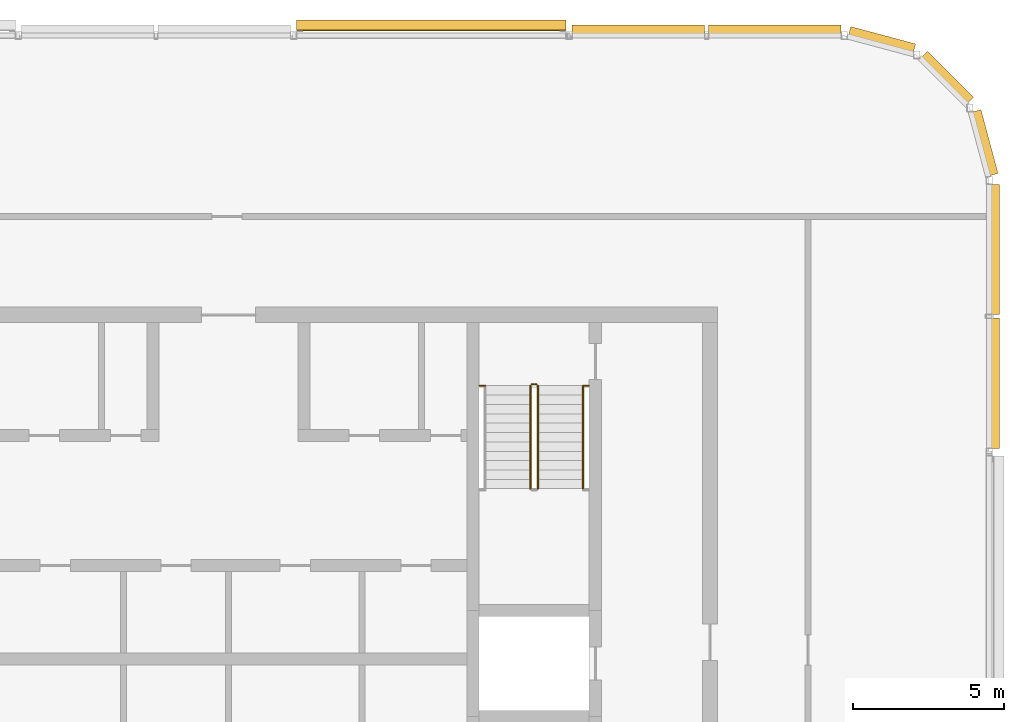
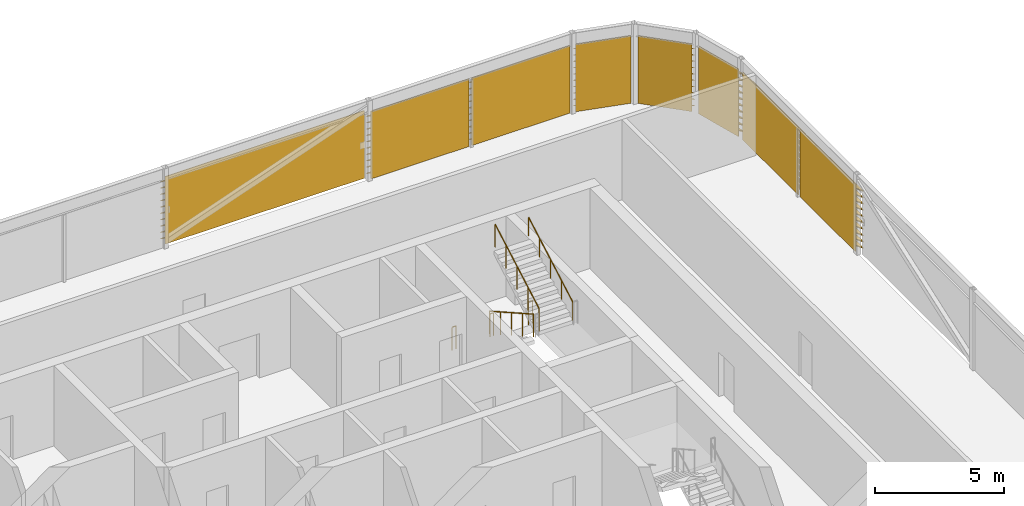
# One storey, part 28 of 28: 8 shading devices, 6 railings.
"""IFC4 building model written with IfcOpenShell, lengths in metres."""

from ifc_helpers import new_model, si_unit, direction, frame, origin, origin_2d, place, context, subcontext, project, spatial, polyline, circle, outline, extrude, material, type_object, element, save


model = new_model("IFC4")

# Units and contexts
model_context = context("Model", 3, precision=1e-05, world=origin(), true_north=direction((0.0, 1.0)))
body_context = subcontext(model_context, "Body", "Model", "MODEL_VIEW")
ifc_project = project(units=[si_unit("LENGTHUNIT", "METRE"), si_unit("AREAUNIT", "SQUARE_METRE"), si_unit("VOLUMEUNIT", "CUBIC_METRE"), si_unit("PLANEANGLEUNIT", "RADIAN"), si_unit("MASSUNIT", "GRAM", prefix="KILO")], contexts=[model_context])

# Site, building, storey
site_placement = place(None, origin())
site = spatial("IfcSite", under=ifc_project, at=site_placement, CompositionType="ELEMENT")
building_placement = place(site_placement, origin())
building = spatial("IfcBuilding", under=site, at=building_placement, Name="Madar Terraces", CompositionType="ELEMENT")
storey_placement = place(building_placement, frame((0.0, 0.0, 310.10009765625)))
storey = spatial("IfcBuildingStorey", under=building, at=storey_placement, Name="L80", CompositionType="ELEMENT", Elevation=310.10009765625)

# Shading devices
ifc_material_1 = material(Name="Aluminium, black anodised", Category="aluminium")
shading_device_type = type_object("IfcShadingDeviceType", Name="Crown louvre bank", PredefinedType="USERDEFINED", material=ifc_material_1)
for number, where, z_axis, x_axis, name in (
    (1, (56.39990234375, 33.126953125, 0.0), (0.0, 1.0, 0.0), (-1.0, 0.0, 0.0), "LOUVRE bank L80 12.1"),
    (2, (56.39990234375, 37.5634765625, 0.0), (0.0, 1.0, 0.0), (-1.0, 0.0, 0.0), "LOUVRE bank L80 12.2"),
):
    element("IfcShadingDevice", number, at=place(storey_placement, frame(where, z_axis=z_axis, x_axis=x_axis)), inside=storey, type_object=shading_device_type, Name=name, ObjectType="LOUVRE", PredefinedType="USERDEFINED", context=body_context, shape_type="SweptSolid", body=[
        extrude(outline(polyline([(0.014892578125, 0.0), (-0.014892578125, 0.0), (-0.014892578125, 0.24951171875), (-0.3427734375, 0.02001953125), (-0.3427734375, 0.06884765625), (-0.014892578125, 0.29833984375), (-0.014892578125, 0.54931640625), (-0.3427734375, 0.320068359375), (-0.3427734375, 0.368896484375), (-0.014892578125, 0.59814453125), (-0.014892578125, 0.849365234375), (-0.3427734375, 0.6201171875), (-0.3427734375, 0.6689453125), (-0.014892578125, 0.898193359375), (-0.014892578125, 1.1494140625), (-0.3427734375, 0.919921875), (-0.3427734375, 0.96875), (-0.014892578125, 1.1982421875), (-0.014892578125, 1.449462890625), (-0.3427734375, 1.219970703125), (-0.3427734375, 1.268798828125), (-0.014892578125, 1.498291015625), (-0.014892578125, 1.74951171875), (-0.3427734375, 1.52001953125), (-0.3427734375, 1.56884765625), (-0.014892578125, 1.79833984375), (-0.014892578125, 2.04931640625), (-0.3427734375, 1.820068359375), (-0.3427734375, 1.868896484375), (-0.014892578125, 2.09814453125), (-0.014892578125, 2.349365234375), (-0.3427734375, 2.1201171875), (-0.3427734375, 2.1689453125), (-0.014892578125, 2.398193359375), (-0.014892578125, 2.6494140625), (-0.3427734375, 2.419921875), (-0.3427734375, 2.46875), (-0.014892578125, 2.6982421875), (-0.014892578125, 2.949462890625), (-0.3427734375, 2.719970703125), (-0.3427734375, 2.768798828125), (-0.014892578125, 2.998291015625), (-0.014892578125, 3.197998046875), (0.014892578125, 3.197998046875), (0.014892578125, 0.0)])), origin(), (0.0, 0.0, 1.0), 4.3095703125),
    ])
shading_device_1_placement = place(storey_placement, frame((56.361328125, 42.143798828125, 0.0), z_axis=(-0.258788169352, 0.965934098893, 0.0), x_axis=(-0.965934098893, -0.258788169352, 0.0)))
element("IfcShadingDevice", 3, at=shading_device_1_placement, inside=storey, type_object=shading_device_type, Name="LOUVRE bank L80 13.1", ObjectType="LOUVRE", PredefinedType="USERDEFINED", context=body_context, shape_type="SweptSolid", body=[
    extrude(outline(polyline([(0.014892578125, 0.0), (-0.014892578125, 0.0), (-0.014892578125, 0.24951171875), (-0.3427734375, 0.02001953125), (-0.3427734375, 0.06884765625), (-0.014892578125, 0.29833984375), (-0.014892578125, 0.54931640625), (-0.3427734375, 0.320068359375), (-0.3427734375, 0.368896484375), (-0.014892578125, 0.59814453125), (-0.014892578125, 0.849365234375), (-0.3427734375, 0.6201171875), (-0.3427734375, 0.6689453125), (-0.014892578125, 0.898193359375), (-0.014892578125, 1.1494140625), (-0.3427734375, 0.919921875), (-0.3427734375, 0.96875), (-0.014892578125, 1.1982421875), (-0.014892578125, 1.449462890625), (-0.3427734375, 1.219970703125), (-0.3427734375, 1.268798828125), (-0.014892578125, 1.498291015625), (-0.014892578125, 1.74951171875), (-0.3427734375, 1.52001953125), (-0.3427734375, 1.56884765625), (-0.014892578125, 1.79833984375), (-0.014892578125, 2.04931640625), (-0.3427734375, 1.820068359375), (-0.3427734375, 1.868896484375), (-0.014892578125, 2.09814453125), (-0.014892578125, 2.349365234375), (-0.3427734375, 2.1201171875), (-0.3427734375, 2.1689453125), (-0.014892578125, 2.398193359375), (-0.014892578125, 2.6494140625), (-0.3427734375, 2.419921875), (-0.3427734375, 2.46875), (-0.014892578125, 2.6982421875), (-0.014892578125, 2.949462890625), (-0.3427734375, 2.719970703125), (-0.3427734375, 2.768798828125), (-0.014892578125, 2.998291015625), (-0.014892578125, 3.197998046875), (0.014892578125, 3.197998046875), (0.014892578125, 0.0)])), origin(), (0.0, 0.0, 1.0), 2.186767578125),
])
shading_device_2_placement = place(storey_placement, frame((55.642578125, 44.514404296875, 0.0), z_axis=(-0.707106781187, 0.707106781187, 0.0), x_axis=(-0.707106781187, -0.707106781187, 0.0)))
element("IfcShadingDevice", 4, at=shading_device_2_placement, inside=storey, type_object=shading_device_type, Name="LOUVRE bank L80 14.1", ObjectType="LOUVRE", PredefinedType="USERDEFINED", context=body_context, shape_type="SweptSolid", body=[
    extrude(outline(polyline([(0.014892578125, 0.0), (-0.014892578125, 0.0), (-0.014892578125, 0.24951171875), (-0.3427734375, 0.02001953125), (-0.3427734375, 0.06884765625), (-0.014892578125, 0.29833984375), (-0.014892578125, 0.54931640625), (-0.3427734375, 0.320068359375), (-0.3427734375, 0.368896484375), (-0.014892578125, 0.59814453125), (-0.014892578125, 0.849365234375), (-0.3427734375, 0.6201171875), (-0.3427734375, 0.6689453125), (-0.014892578125, 0.898193359375), (-0.014892578125, 1.1494140625), (-0.3427734375, 0.919921875), (-0.3427734375, 0.96875), (-0.014892578125, 1.1982421875), (-0.014892578125, 1.449462890625), (-0.3427734375, 1.219970703125), (-0.3427734375, 1.268798828125), (-0.014892578125, 1.498291015625), (-0.014892578125, 1.74951171875), (-0.3427734375, 1.52001953125), (-0.3427734375, 1.56884765625), (-0.014892578125, 1.79833984375), (-0.014892578125, 2.04931640625), (-0.3427734375, 1.820068359375), (-0.3427734375, 1.868896484375), (-0.014892578125, 2.09814453125), (-0.014892578125, 2.349365234375), (-0.3427734375, 2.1201171875), (-0.3427734375, 2.1689453125), (-0.014892578125, 2.398193359375), (-0.014892578125, 2.6494140625), (-0.3427734375, 2.419921875), (-0.3427734375, 2.46875), (-0.014892578125, 2.6982421875), (-0.014892578125, 2.949462890625), (-0.3427734375, 2.719970703125), (-0.3427734375, 2.768798828125), (-0.014892578125, 2.998291015625), (-0.014892578125, 3.197998046875), (0.014892578125, 3.197998046875), (0.014892578125, 0.0)])), origin(), (0.0, 0.0, 1.0), 2.161376953125),
])
shading_device_3_placement = place(storey_placement, frame((53.87353515625, 46.19091796875, 0.0), z_axis=(-0.965935304808, 0.258783668197, 0.0), x_axis=(-0.258783668197, -0.965935304808, 0.0)))
element("IfcShadingDevice", 5, at=shading_device_3_placement, inside=storey, type_object=shading_device_type, Name="LOUVRE bank L80 15.1", ObjectType="LOUVRE", PredefinedType="USERDEFINED", context=body_context, shape_type="SweptSolid", body=[
    extrude(outline(polyline([(0.014892578125, 0.0), (-0.014892578125, 0.0), (-0.014892578125, 0.24951171875), (-0.3427734375, 0.02001953125), (-0.3427734375, 0.06884765625), (-0.014892578125, 0.29833984375), (-0.014892578125, 0.54931640625), (-0.3427734375, 0.320068359375), (-0.3427734375, 0.368896484375), (-0.014892578125, 0.59814453125), (-0.014892578125, 0.849365234375), (-0.3427734375, 0.6201171875), (-0.3427734375, 0.6689453125), (-0.014892578125, 0.898193359375), (-0.014892578125, 1.1494140625), (-0.3427734375, 0.919921875), (-0.3427734375, 0.96875), (-0.014892578125, 1.1982421875), (-0.014892578125, 1.449462890625), (-0.3427734375, 1.219970703125), (-0.3427734375, 1.268798828125), (-0.014892578125, 1.498291015625), (-0.014892578125, 1.74951171875), (-0.3427734375, 1.52001953125), (-0.3427734375, 1.56884765625), (-0.014892578125, 1.79833984375), (-0.014892578125, 2.04931640625), (-0.3427734375, 1.820068359375), (-0.3427734375, 1.868896484375), (-0.014892578125, 2.09814453125), (-0.014892578125, 2.349365234375), (-0.3427734375, 2.1201171875), (-0.3427734375, 2.1689453125), (-0.014892578125, 2.398193359375), (-0.014892578125, 2.6494140625), (-0.3427734375, 2.419921875), (-0.3427734375, 2.46875), (-0.014892578125, 2.6982421875), (-0.014892578125, 2.949462890625), (-0.3427734375, 2.719970703125), (-0.3427734375, 2.768798828125), (-0.014892578125, 2.998291015625), (-0.014892578125, 3.197998046875), (0.014892578125, 3.197998046875), (0.014892578125, 0.0)])), origin(), (0.0, 0.0, 1.0), 2.22265625),
])
shading_device_4_placement = place(storey_placement, frame((51.498291015625, 46.800048828125, 0.0), z_axis=(-1.0, 0.0, 0.0), x_axis=(0.0, -1.0, 0.0)))
element("IfcShadingDevice", 6, at=shading_device_4_placement, inside=storey, type_object=shading_device_type, Name="LOUVRE bank L80 16.1", ObjectType="LOUVRE", PredefinedType="USERDEFINED", context=body_context, shape_type="SweptSolid", body=[
    extrude(outline(polyline([(0.014892578125, 0.0), (-0.014892578125, 0.0), (-0.014892578125, 0.24951171875), (-0.3427734375, 0.02001953125), (-0.3427734375, 0.06884765625), (-0.014892578125, 0.29833984375), (-0.014892578125, 0.54931640625), (-0.3427734375, 0.320068359375), (-0.3427734375, 0.368896484375), (-0.014892578125, 0.59814453125), (-0.014892578125, 0.849365234375), (-0.3427734375, 0.6201171875), (-0.3427734375, 0.6689453125), (-0.014892578125, 0.898193359375), (-0.014892578125, 1.1494140625), (-0.3427734375, 0.919921875), (-0.3427734375, 0.96875), (-0.014892578125, 1.1982421875), (-0.014892578125, 1.449462890625), (-0.3427734375, 1.219970703125), (-0.3427734375, 1.268798828125), (-0.014892578125, 1.498291015625), (-0.014892578125, 1.74951171875), (-0.3427734375, 1.52001953125), (-0.3427734375, 1.56884765625), (-0.014892578125, 1.79833984375), (-0.014892578125, 2.04931640625), (-0.3427734375, 1.820068359375), (-0.3427734375, 1.868896484375), (-0.014892578125, 2.09814453125), (-0.014892578125, 2.349365234375), (-0.3427734375, 2.1201171875), (-0.3427734375, 2.1689453125), (-0.014892578125, 2.398193359375), (-0.014892578125, 2.6494140625), (-0.3427734375, 2.419921875), (-0.3427734375, 2.46875), (-0.014892578125, 2.6982421875), (-0.014892578125, 2.949462890625), (-0.3427734375, 2.719970703125), (-0.3427734375, 2.768798828125), (-0.014892578125, 2.998291015625), (-0.014892578125, 3.197998046875), (0.014892578125, 3.197998046875), (0.014892578125, 0.0)])), origin(), (0.0, 0.0, 1.0), 4.394775390625),
])
shading_device_5_placement = place(storey_placement, frame((46.9765625, 46.800048828125, 0.0), z_axis=(-1.0, 0.0, 0.0), x_axis=(0.0, -1.0, 0.0)))
element("IfcShadingDevice", 7, at=shading_device_5_placement, inside=storey, type_object=shading_device_type, Name="LOUVRE bank L80 16.2", ObjectType="LOUVRE", PredefinedType="USERDEFINED", context=body_context, shape_type="SweptSolid", body=[
    extrude(outline(polyline([(0.014892578125, 0.0), (-0.014892578125, 0.0), (-0.014892578125, 0.24951171875), (-0.3427734375, 0.02001953125), (-0.3427734375, 0.06884765625), (-0.014892578125, 0.29833984375), (-0.014892578125, 0.54931640625), (-0.3427734375, 0.320068359375), (-0.3427734375, 0.368896484375), (-0.014892578125, 0.59814453125), (-0.014892578125, 0.849365234375), (-0.3427734375, 0.6201171875), (-0.3427734375, 0.6689453125), (-0.014892578125, 0.898193359375), (-0.014892578125, 1.1494140625), (-0.3427734375, 0.919921875), (-0.3427734375, 0.96875), (-0.014892578125, 1.1982421875), (-0.014892578125, 1.449462890625), (-0.3427734375, 1.219970703125), (-0.3427734375, 1.268798828125), (-0.014892578125, 1.498291015625), (-0.014892578125, 1.74951171875), (-0.3427734375, 1.52001953125), (-0.3427734375, 1.56884765625), (-0.014892578125, 1.79833984375), (-0.014892578125, 2.04931640625), (-0.3427734375, 1.820068359375), (-0.3427734375, 1.868896484375), (-0.014892578125, 2.09814453125), (-0.014892578125, 2.349365234375), (-0.3427734375, 2.1201171875), (-0.3427734375, 2.1689453125), (-0.014892578125, 2.398193359375), (-0.014892578125, 2.6494140625), (-0.3427734375, 2.419921875), (-0.3427734375, 2.46875), (-0.014892578125, 2.6982421875), (-0.014892578125, 2.949462890625), (-0.3427734375, 2.719970703125), (-0.3427734375, 2.768798828125), (-0.014892578125, 2.998291015625), (-0.014892578125, 3.197998046875), (0.014892578125, 3.197998046875), (0.014892578125, 0.0)])), origin(), (0.0, 0.0, 1.0), 4.39501953125),
])
shading_device_6_placement = place(storey_placement, frame((42.37841796875, 46.800048828125, 0.0), z_axis=(-1.0, 0.0, 0.0), x_axis=(0.0, -1.0, 0.0)))
element("IfcShadingDevice", 8, at=shading_device_6_placement, inside=storey, type_object=shading_device_type, Name="LOUVRE bank L80 17.1", ObjectType="LOUVRE", PredefinedType="USERDEFINED", context=body_context, shape_type="SweptSolid", body=[
    extrude(outline(polyline([(-0.156982421875, 0.0), (-0.18701171875, 0.0), (-0.18701171875, 0.24951171875), (-0.5146484375, 0.02001953125), (-0.5146484375, 0.06884765625), (-0.18701171875, 0.29833984375), (-0.18701171875, 0.54931640625), (-0.5146484375, 0.320068359375), (-0.5146484375, 0.368896484375), (-0.18701171875, 0.59814453125), (-0.18701171875, 0.849365234375), (-0.5146484375, 0.6201171875), (-0.5146484375, 0.6689453125), (-0.18701171875, 0.898193359375), (-0.18701171875, 1.1494140625), (-0.5146484375, 0.919921875), (-0.5146484375, 0.96875), (-0.18701171875, 1.1982421875), (-0.18701171875, 1.449462890625), (-0.5146484375, 1.219970703125), (-0.5146484375, 1.268798828125), (-0.18701171875, 1.498291015625), (-0.18701171875, 1.74951171875), (-0.5146484375, 1.52001953125), (-0.5146484375, 1.56884765625), (-0.18701171875, 1.79833984375), (-0.18701171875, 2.04931640625), (-0.5146484375, 1.820068359375), (-0.5146484375, 1.868896484375), (-0.18701171875, 2.09814453125), (-0.18701171875, 2.349365234375), (-0.5146484375, 2.1201171875), (-0.5146484375, 2.1689453125), (-0.18701171875, 2.398193359375), (-0.18701171875, 2.6494140625), (-0.5146484375, 2.419921875), (-0.5146484375, 2.46875), (-0.18701171875, 2.6982421875), (-0.18701171875, 2.949462890625), (-0.5146484375, 2.719970703125), (-0.5146484375, 2.768798828125), (-0.18701171875, 2.998291015625), (-0.18701171875, 3.197998046875), (-0.156982421875, 3.197998046875), (-0.156982421875, 0.0)])), origin(), (0.0, 0.0, 1.0), 8.916748046875),
])

# Railings
ifc_material_2 = material(Name="Stainless steel railing", Category="steel")
railing_type_1 = type_object("IfcRailingType", Name="Stair guard 1100", PredefinedType="GUARDRAIL", material=ifc_material_2)
railing_1_placement = place(storey_placement, frame((41.199951171875, 35.199951171875, 0.1748046875)))
element("IfcRailing", 9, at=railing_1_placement, inside=storey, type_object=railing_type_1, Name="L80 ST2 stair guard 1", PredefinedType="GUARDRAIL", context=body_context, shape_type="SweptSolid", body=[
    extrude(circle(Radius=0.02392578125, at=origin_2d()), frame((0.0, 0.0, 1.076171875), z_axis=(0.0, -0.87081354652, 0.491613432685), x_axis=(1.0, 0.0, 0.0)), (0.0, 0.0, 1.0), 3.915771484375),
    extrude(circle(Radius=0.02099609375, at=origin_2d()), origin(), (0.0, 0.0, 1.0), 1.052001953125),
    extrude(circle(Radius=0.02099609375, at=origin_2d()), frame((0.0, -0.8525390625, 0.481201171875)), (0.0, 0.0, 1.0), 1.052001953125),
    extrude(circle(Radius=0.02099609375, at=origin_2d()), frame((0.0, -1.705078125, 0.96240234375)), (0.0, 0.0, 1.0), 1.052001953125),
    extrude(circle(Radius=0.02099609375, at=origin_2d()), frame((0.0, -2.557373046875, 1.44384765625)), (0.0, 0.0, 1.0), 1.052001953125),
    extrude(circle(Radius=0.02099609375, at=origin_2d()), frame((0.0, -3.409912109375, 1.925048828125)), (0.0, 0.0, 1.0), 1.052001953125),
])
railing_2_placement = place(storey_placement, frame((41.449951171875, 31.7900390625, 2.27490234375)))
element("IfcRailing", 10, at=railing_2_placement, inside=storey, type_object=railing_type_1, Name="L80 ST2 stair guard 3", PredefinedType="GUARDRAIL", context=body_context, shape_type="SweptSolid", body=[
    extrude(circle(Radius=0.02392578125, at=origin_2d()), frame((0.0, 0.0, 1.076171875), z_axis=(0.0, 0.87081354652, 0.491613432685), x_axis=(-1.0, 0.0, 0.0)), (0.0, 0.0, 1.0), 3.915771484375),
    extrude(circle(Radius=0.02099609375, at=origin_2d()), origin(), (0.0, 0.0, 1.0), 1.052001953125),
    extrude(circle(Radius=0.02099609375, at=origin_2d()), frame((0.0, 0.8525390625, 0.481201171875)), (0.0, 0.0, 1.0), 1.052001953125),
    extrude(circle(Radius=0.02099609375, at=origin_2d()), frame((0.0, 1.705078125, 0.96240234375)), (0.0, 0.0, 1.0), 1.052001953125),
    extrude(circle(Radius=0.02099609375, at=origin_2d()), frame((0.0, 2.557373046875, 1.44384765625)), (0.0, 0.0, 1.0), 1.052001953125),
    extrude(circle(Radius=0.02099609375, at=origin_2d()), frame((0.0, 3.409912109375, 1.925048828125)), (0.0, 0.0, 1.0), 1.052001953125),
])
railing_3_placement = place(storey_placement, frame((41.25, 35.25, 0.0)))
element("IfcRailing", 11, at=railing_3_placement, inside=storey, type_object=railing_type_1, Name="L80 ST2 stair guard 4", PredefinedType="GUARDRAIL", context=body_context, shape_type="SweptSolid", body=[
    extrude(circle(Radius=0.02392578125, at=origin_2d()), frame((0.0, 0.0, 1.076171875), z_axis=(1.0, 0.0, 0.0), x_axis=(0.0, 1.0, 0.0)), (0.0, 0.0, 1.0), 0.14990234375),
    extrude(circle(Radius=0.02099609375, at=origin_2d()), origin(), (0.0, 0.0, 1.0), 1.052001953125),
    extrude(circle(Radius=0.02099609375, at=origin_2d()), frame((0.14990234375, 0.0, 0.0)), (0.0, 0.0, 1.0), 1.052001953125),
])
for number, where, name in (
    (12, (39.52001953125, 35.199951171875, 0.0), "L80 stair guard floor 1"),
    (13, (42.949951171875, 35.199951171875, 0.0), "L80 stair guard floor 2"),
):
    element("IfcRailing", number, at=place(storey_placement, frame(where)), inside=storey, type_object=railing_type_1, Name=name, PredefinedType="GUARDRAIL", context=body_context, shape_type="SweptSolid", body=[
        extrude(circle(Radius=0.02392578125, at=origin_2d()), frame((0.0, 0.0, 1.076171875), z_axis=(1.0, 0.0, 0.0), x_axis=(0.0, 1.0, 0.0)), (0.0, 0.0, 1.0), 0.179931640625),
        extrude(circle(Radius=0.02099609375, at=origin_2d()), origin(), (0.0, 0.0, 1.0), 1.052001953125),
        extrude(circle(Radius=0.02099609375, at=origin_2d()), frame((0.179931640625, 0.0, 0.0)), (0.0, 0.0, 1.0), 1.052001953125),
    ])
ifc_material_3 = material(Name="Stainless steel railing", Category="steel")
railing_type_2 = type_object("IfcRailingType", Name="Stair handrail 900", PredefinedType="HANDRAIL", material=ifc_material_3)
railing_4_placement = place(storey_placement, frame((42.949951171875, 31.7900390625, 2.27490234375)))
element("IfcRailing", 14, at=railing_4_placement, inside=storey, type_object=railing_type_2, Name="L80 ST2 stair handrail 2", PredefinedType="HANDRAIL", context=body_context, shape_type="SweptSolid", body=[
    extrude(circle(Radius=0.02392578125, at=origin_2d()), frame((0.0, 0.0, 0.8759765625), z_axis=(0.0, 0.87081354652, 0.491613432685), x_axis=(-1.0, 0.0, 0.0)), (0.0, 0.0, 1.0), 3.915771484375),
    extrude(circle(Radius=0.02099609375, at=origin_2d()), origin(), (0.0, 0.0, 1.0), 0.851806640625),
    extrude(circle(Radius=0.02099609375, at=origin_2d()), frame((0.0, 0.8525390625, 0.481201171875)), (0.0, 0.0, 1.0), 0.851806640625),
    extrude(circle(Radius=0.02099609375, at=origin_2d()), frame((0.0, 1.705078125, 0.96240234375)), (0.0, 0.0, 1.0), 0.851806640625),
    extrude(circle(Radius=0.02099609375, at=origin_2d()), frame((0.0, 2.557373046875, 1.44384765625)), (0.0, 0.0, 1.0), 0.851806640625),
    extrude(circle(Radius=0.02099609375, at=origin_2d()), frame((0.0, 3.409912109375, 1.925048828125)), (0.0, 0.0, 1.0), 0.851806640625),
])

save(model, "model.ifc")
